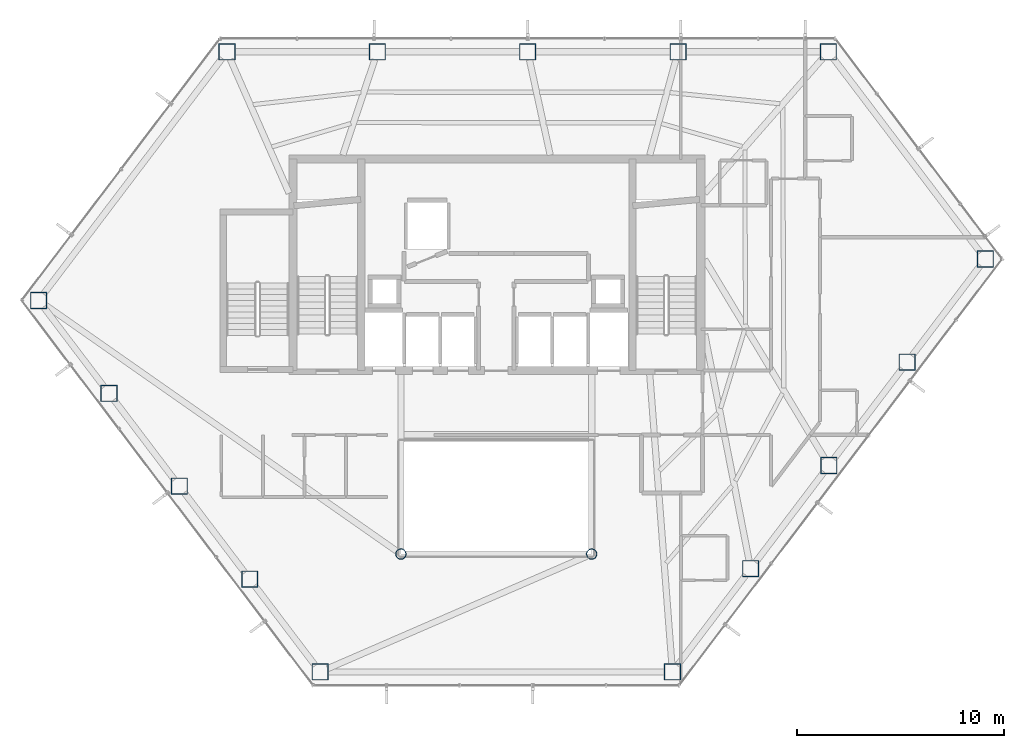
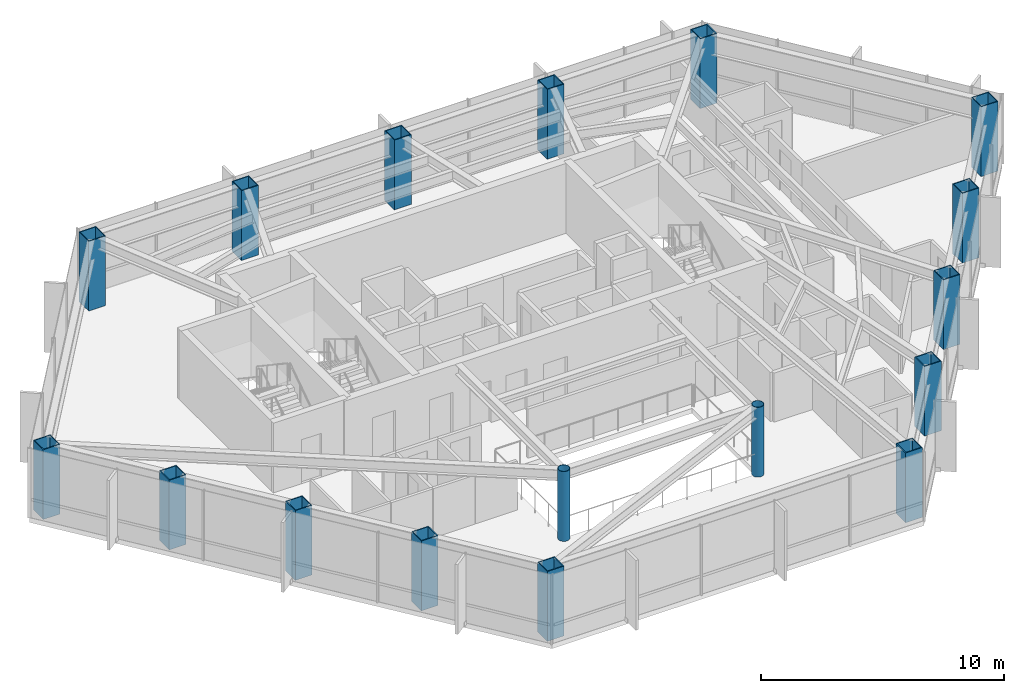
# One storey, part 1 of 28: 17 columns.
"""IFC4 building model written with IfcOpenShell, lengths in metres."""

from ifc_helpers import new_model, si_unit, direction, frame, origin, origin_2d, place, context, subcontext, project, spatial, hollow_rectangle, hollow_circle, extrude, material, material_profile, profile_set, type_object, element, save


model = new_model("IFC4")

# Units and contexts
model_context = context("Model", 3, precision=1e-05, world=origin(), true_north=direction((0.0, 1.0)))
body_context = subcontext(model_context, "Body", "Model", "MODEL_VIEW")
ifc_project = project(units=[si_unit("LENGTHUNIT", "METRE"), si_unit("AREAUNIT", "SQUARE_METRE"), si_unit("VOLUMEUNIT", "CUBIC_METRE"), si_unit("PLANEANGLEUNIT", "RADIAN"), si_unit("MASSUNIT", "GRAM", prefix="KILO")], contexts=[model_context])

# Site, building, storey
site_placement = place(None, origin())
site = spatial("IfcSite", under=ifc_project, at=site_placement, CompositionType="ELEMENT")
building_placement = place(site_placement, origin())
building = spatial("IfcBuilding", under=site, at=building_placement, Name="Zarrinselat Tower", CompositionType="ELEMENT")
storey_placement = place(building_placement, frame((0.0, 0.0, 127.159912109375)))
storey = spatial("IfcBuildingStorey", under=building, at=storey_placement, Name="L30", CompositionType="ELEMENT", Elevation=127.159912109375)

# Columns
ifc_material_1 = material(Name="Steel S355J2", Category="steel")
ifc_material_profile_1 = material_profile(ifc_material_1, hollow_circle(Radius=0.25390625, WallThickness=0.02001953125, at=origin_2d()), Name="CHS 508x20")
ifc_profile_set_1 = profile_set([ifc_material_profile_1], Name="Steel S355J2")
column_type_1 = type_object("IfcColumnType", Name="COL-CHS508", PredefinedType="COLUMN", material=ifc_profile_set_1)
for number, where, z_axis, x_axis, name in (
    (1, (33.800048828125, 24.39990234375, 0.0), (0.0, 0.0, 1.0), (1.0, 0.0, 0.0), "L30 Atrium Corner Column 1"),
    (2, (43.0, 24.39990234375, 0.0), (0.0, 0.0, 1.0), (1.0, 0.0, 0.0), "L30 Atrium Corner Column 2"),
):
    element("IfcColumn", number, at=place(storey_placement, frame(where, z_axis=z_axis, x_axis=x_axis)), inside=storey, type_object=column_type_1, Name=name, PredefinedType="COLUMN", context=body_context, shape_type="SweptSolid", body=[
        extrude(hollow_circle(Radius=0.25390625, WallThickness=0.02001953125, at=origin_2d()), origin(), (0.0, 0.0, 1.0), 3.5),
    ])
ifc_material_2 = material(Name="Steel S460M", Category="steel")
ifc_material_profile_2 = material_profile(ifc_material_2, hollow_rectangle(XDim=0.800048828125, YDim=0.800048828125, WallThickness=0.0400390625, at=origin_2d()), Name="SHS 800x800x40")
ifc_profile_set_2 = profile_set([ifc_material_profile_2], Name="Steel S460M")
column_type_2 = type_object("IfcColumnType", Name="COL-SHS800", PredefinedType="COLUMN", material=ifc_profile_set_2)
for number, where, z_axis, x_axis, name in (
    (3, (54.41455078125, 48.61669921875, 0.0), (0.0, 0.0, 1.0), (1.0, 0.0, 0.0), "L30 Framed-Tube Column T01"),
    (4, (47.1650390625, 48.61669921875, 0.0), (0.0, 0.0, 1.0), (1.0, 0.0, 0.0), "L30 Framed-Tube Column T02"),
    (5, (39.91552734375, 48.61669921875, 0.0), (0.0, 0.0, 1.0), (1.0, 0.0, 0.0), "L30 Framed-Tube Column T03"),
    (6, (32.666015625, 48.61669921875, 0.0), (0.0, 0.0, 1.0), (1.0, 0.0, 0.0), "L30 Framed-Tube Column T04"),
    (7, (25.41650390625, 48.61669921875, 0.0), (0.0, 0.0, 1.0), (1.0, 0.0, 0.0), "L30 Framed-Tube Column T05"),
    (8, (16.3349609375, 36.62890625, 0.0), (0.0, 0.0, 1.0), (1.0, 0.0, 0.0), "L30 Framed-Tube Column T06"),
    (9, (19.7275390625, 32.15087890625, 0.0), (0.0, 0.0, 1.0), (1.0, 0.0, 0.0), "L30 Framed-Tube Column T07"),
    (10, (23.1201171875, 27.672607421875, 0.0), (0.0, 0.0, 1.0), (1.0, 0.0, 0.0), "L30 Framed-Tube Column T08"),
    (11, (26.5126953125, 23.1943359375, 0.0), (0.0, 0.0, 1.0), (1.0, 0.0, 0.0), "L30 Framed-Tube Column T09"),
    (12, (29.905029296875, 18.71630859375, 0.0), (0.0, 0.0, 1.0), (1.0, 0.0, 0.0), "L30 Framed-Tube Column T10"),
    (13, (46.89501953125, 18.71630859375, 0.0), (0.0, 0.0, 1.0), (1.0, 0.0, 0.0), "L30 Framed-Tube Column T11"),
    (14, (50.666259765625, 23.694580078125, 0.0), (0.0, 0.0, 1.0), (1.0, 0.0, 0.0), "L30 Framed-Tube Column T12"),
    (15, (54.437744140625, 28.6728515625, 0.0), (0.0, 0.0, 1.0), (1.0, 0.0, 0.0), "L30 Framed-Tube Column T13"),
    (16, (58.209228515625, 33.651123046875, 0.0), (0.0, 0.0, 1.0), (1.0, 0.0, 0.0), "L30 Framed-Tube Column T14"),
    (17, (61.980712890625, 38.62939453125, 0.0), (0.0, 0.0, 1.0), (1.0, 0.0, 0.0), "L30 Framed-Tube Column T15"),
):
    element("IfcColumn", number, at=place(storey_placement, frame(where, z_axis=z_axis, x_axis=x_axis)), inside=storey, type_object=column_type_2, Name=name, PredefinedType="COLUMN", context=body_context, shape_type="SweptSolid", body=[
        extrude(hollow_rectangle(XDim=0.800048828125, YDim=0.800048828125, WallThickness=0.0400390625, at=origin_2d()), origin(), (0.0, 0.0, 1.0), 3.5),
    ])

save(model, "model.ifc")
